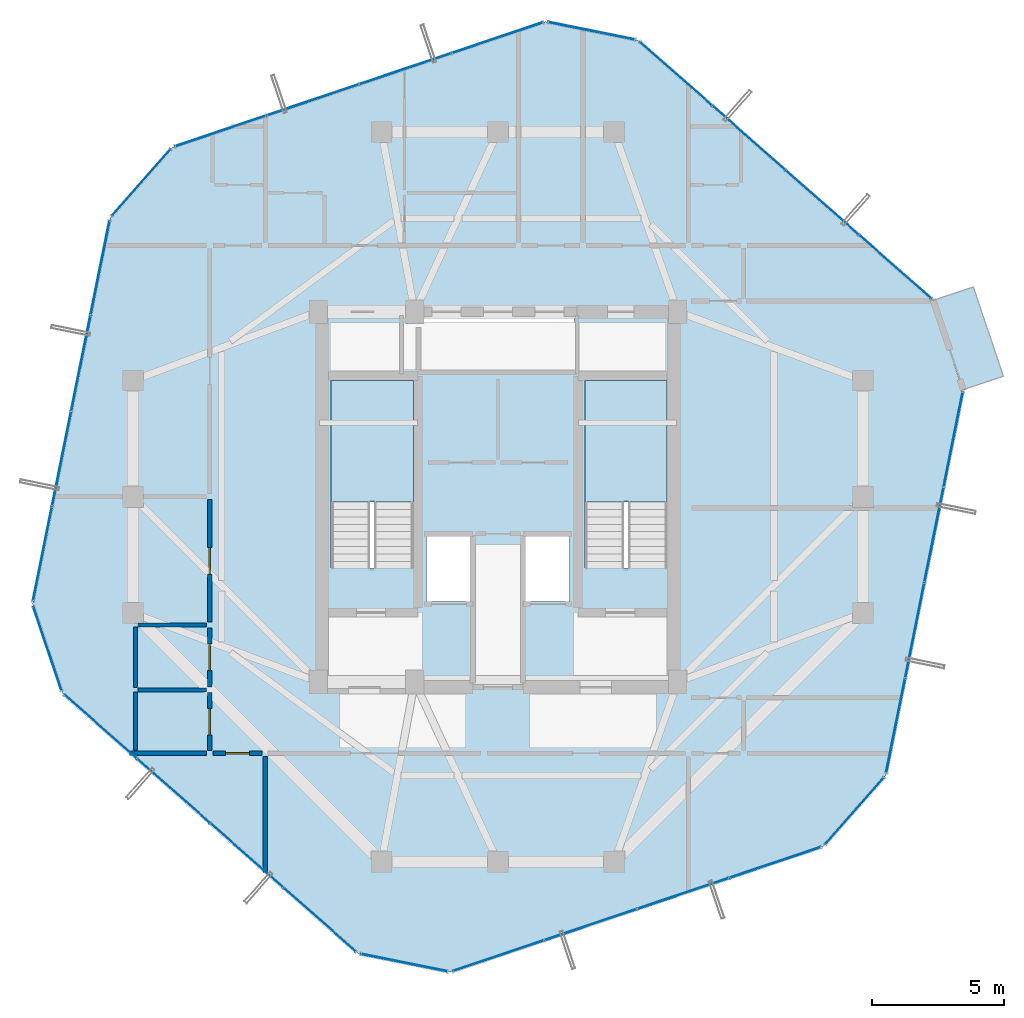
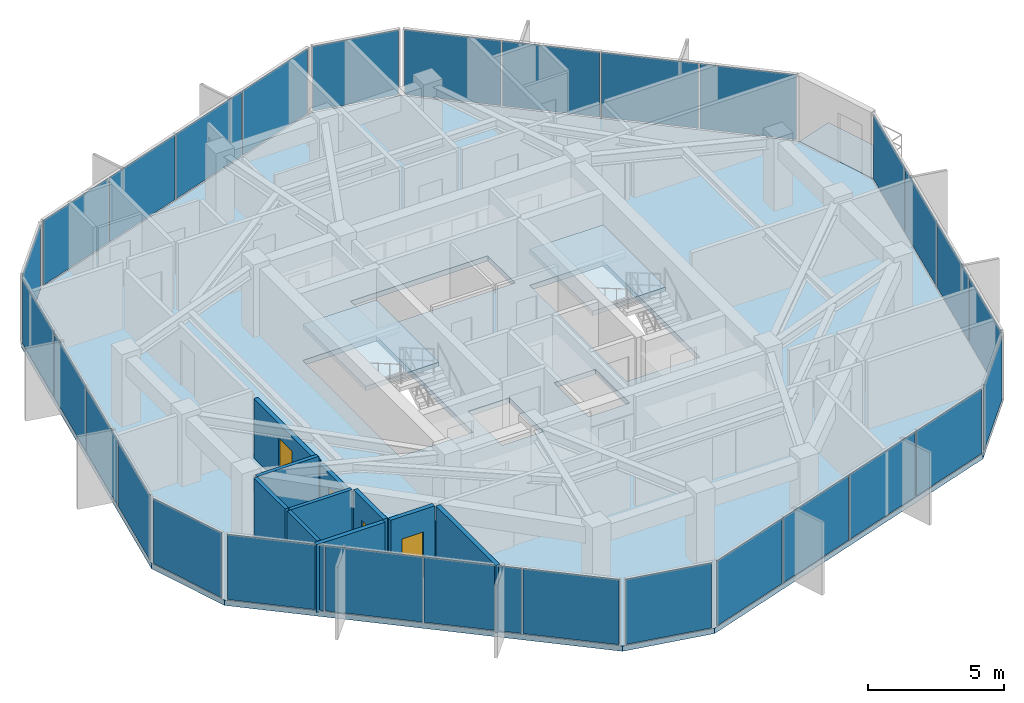
# One storey, part 23 of 28: 29 plates, 10 walls, 4 doors, 4 slabs, 4 openings, 13 elements without a shape of their own.
"""IFC4 building model written with IfcOpenShell, lengths in metres."""

from ifc_helpers import new_model, si_unit, direction, frame, frame_2d, origin, origin_2d, place, context, subcontext, project, spatial, polyline, rectangle, outline, extrude, source, transform, mapped, material, layer, layer_set, type_object, element, fill, aggregate, save


model = new_model("IFC4")

# Units and contexts
model_context = context("Model", 3, precision=1e-05, world=origin(), true_north=direction((0.0, 1.0)))
body_context = subcontext(model_context, "Body", "Model", "MODEL_VIEW")
ifc_project = project(units=[si_unit("LENGTHUNIT", "METRE"), si_unit("AREAUNIT", "SQUARE_METRE"), si_unit("VOLUMEUNIT", "CUBIC_METRE"), si_unit("PLANEANGLEUNIT", "RADIAN"), si_unit("MASSUNIT", "GRAM", prefix="KILO")], contexts=[model_context])

# Site, building, storey
site_placement = place(None, origin())
site = spatial("IfcSite", under=ifc_project, at=site_placement, CompositionType="ELEMENT")
building_placement = place(site_placement, origin())
building = spatial("IfcBuilding", under=site, at=building_placement, Name="Veraguas Prism Commons", CompositionType="ELEMENT")
storey_placement = place(building_placement, frame((0.0, 0.0, 248.0)))
storey = spatial("IfcBuildingStorey", under=building, at=storey_placement, Name="L70", CompositionType="ELEMENT", Elevation=248.0)

# Stair, slab
ifc_material_1 = material(Name="Precast concrete C45/55", Category="concrete")
stair_type = type_object("IfcStairType", Name="Dogleg Core Stair 1480W 20R 05", PredefinedType="HALF_TURN_STAIR", material=ifc_material_1)
stair_1_placement = place(storey_placement, origin())
stair_1 = element("IfcStair", 1, at=stair_1_placement, inside=storey, type_object=stair_type, Name="Protected Exit Stair ST-01 L70", PredefinedType="HALF_TURN_STAIR")
ifc_layer_1 = layer(ifc_material_1, 0.199951171875, Name="Precast Stair and Ramp Landing Slab 200", Category="concrete")
ifc_layer_set_1 = layer_set([ifc_layer_1], Name="Precast concrete C45/55")
slab_type_1 = type_object("IfcSlabType", Name="Precast Stair and Ramp Landing Slab 200", PredefinedType="LANDING", material=ifc_layer_set_1)
slab_1_placement = place(storey_placement, frame((0.0, 0.0, 1.425048828125)))
slab_1 = element("IfcSlab", 2, at=slab_1_placement, type_object=slab_type_1, Name="ST-05 Landing 1", PredefinedType="LANDING", context=body_context, shape_type="SweptSolid", body=[
    extrude(outline(polyline([(20.800048828125, 23.800048828125), (20.800048828125, 28.39990234375), (17.68994140625, 28.39990234375), (17.68994140625, 23.800048828125), (20.800048828125, 23.800048828125)])), origin(), (0.0, 0.0, 1.0), 0.199951171875),
])
aggregate(stair_1, [slab_1])

stair_2_placement = place(storey_placement, origin())
stair_2 = element("IfcStair", 3, at=stair_2_placement, inside=storey, type_object=stair_type, Name="Protected Exit Stair ST-02 L70", PredefinedType="HALF_TURN_STAIR")
slab_2_placement = place(storey_placement, frame((0.0, 0.0, 1.425048828125)))
slab_2 = element("IfcSlab", 4, at=slab_2_placement, type_object=slab_type_1, Name="ST-05 Landing 1", PredefinedType="LANDING", context=body_context, shape_type="SweptSolid", body=[
    extrude(outline(polyline([(30.39990234375, 23.800048828125), (30.39990234375, 28.39990234375), (27.2900390625, 28.39990234375), (27.2900390625, 23.800048828125), (30.39990234375, 23.800048828125)])), origin(), (0.0, 0.0, 1.0), 0.199951171875),
])
aggregate(stair_2, [slab_2])

# Slabs
ifc_material_2 = material(Name="Concrete C45/55", Category="concrete")
ifc_layer_2 = layer(ifc_material_2, 0.219970703125, Name="Recessed Loggia and Terrace Slab RC 220", Category="concrete")
ifc_layer_set_2 = layer_set([ifc_layer_2], Name="Concrete C45/55")
slab_type_2 = type_object("IfcSlabType", Name="Recessed Loggia and Terrace Slab RC 220", PredefinedType="FLOOR", material=ifc_layer_set_2)
slab_3_placement = place(storey_placement, frame((0.0, 0.0, -0.219970703125)))
element("IfcSlab", 5, at=slab_3_placement, inside=storey, type_object=slab_type_2, Name="Recessed Corner Loggia L70-C1", PredefinedType="FLOOR", context=body_context, shape_type="SweptSolid", body=[
    extrude(outline(polyline([(41.58056640625, 28.043701171875), (43.115966796875, 28.560791015625), (41.978515625, 31.93701171875), (40.443115234375, 31.419921875), (41.58056640625, 28.043701171875)])), origin(), (0.0, 0.0, 1.0), 0.219970703125),
])
ifc_layer_3 = layer(ifc_material_2, 0.235107421875, Name="Tower Upper Residential Floor Slab RC 235", Category="concrete")
ifc_layer_set_3 = layer_set([ifc_layer_3], Name="Concrete C45/55")
slab_type_3 = type_object("IfcSlabType", Name="Tower Upper Residential Floor Slab RC 235", PredefinedType="FLOOR", material=ifc_layer_set_3)
slab_4_placement = place(storey_placement, frame((0.0, 0.0, -0.235107421875)))
element("IfcSlab", 6, at=slab_4_placement, inside=storey, type_object=slab_type_3, Name="Tower Floor Slab L70", PredefinedType="FLOOR", context=body_context, shape_type="SweptSolid", body=[
    extrude(outline(polyline([(41.599609375, 28.050048828125), (40.462158203125, 31.42626953125), (29.292236328125, 41.266845703125), (25.7998046875, 41.9697265625), (11.692626953125, 37.216796875), (9.337646484375, 34.543701171875), (6.400390625, 19.949951171875), (7.537841796875, 16.57373046875), (18.707763671875, 6.733154296875), (22.2001953125, 6.0302734375), (36.307373046875, 10.783203125), (38.662353515625, 13.456298828125), (41.599609375, 28.050048828125)]), holes=[polyline([(20.800048828125, 21.31005859375), (20.800048828125, 28.39990234375), (17.68994140625, 28.39990234375), (17.68994140625, 21.31005859375), (20.800048828125, 21.31005859375)]), polyline([(30.39990234375, 21.31005859375), (30.39990234375, 28.39990234375), (27.2900390625, 28.39990234375), (27.2900390625, 21.31005859375), (30.39990234375, 21.31005859375)]), polyline([(21.10009765625, 28.800048828125), (26.89990234375, 28.800048828125), (26.89990234375, 30.800048828125), (21.10009765625, 30.800048828125), (21.10009765625, 28.800048828125)]), polyline([(21.300048828125, 20.050048828125), (23.050048828125, 20.050048828125), (23.050048828125, 22.550048828125), (21.300048828125, 22.550048828125), (21.300048828125, 20.050048828125)]), polyline([(24.949951171875, 20.050048828125), (26.699951171875, 20.050048828125), (26.699951171875, 22.550048828125), (24.949951171875, 22.550048828125), (24.949951171875, 20.050048828125)])]), origin(), (0.0, 0.0, 1.0), 0.235107421875),
])

# Curtain wall, plates
ifc_material_3 = material(Name="Anodised aluminium EN AW-6063 T6", Category="aluminium")
ifc_layer_4 = layer(ifc_material_3, 0.14990234375, Name="Unitised Flush Curtain Wall Zone 4", Category="aluminium")
ifc_layer_set_4 = layer_set([ifc_layer_4], Name="Anodised aluminium EN AW-6063 T6")
curtain_wall_type = type_object("IfcCurtainWallType", Name="Unitised Flush Curtain Wall Zone 4", PredefinedType="NOTDEFINED", material=ifc_layer_set_4)
curtain_wall_1_placement = place(storey_placement, origin())
curtain_wall_1 = element("IfcCurtainWall", 7, at=curtain_wall_1_placement, inside=storey, type_object=curtain_wall_type, Name="Tower Facade Curtain Wall L70-F1", PredefinedType="NOTDEFINED")
ifc_material_4 = material(Name="Laminated low-e glass", Category="glass")
ifc_layer_5 = layer(ifc_material_4, 0.028076171875, Name="Unitised Double Low-E Glazed Panel 28", Category="glass")
ifc_layer_set_5 = layer_set([ifc_layer_5], Name="Laminated low-e glass")
plate_type = type_object("IfcPlateType", Name="Unitised Double Low-E Glazed Panel 28", PredefinedType="CURTAIN_PANEL", material=ifc_layer_set_5)
shared_shape_1 = source(origin(), body_context, "Body", "SweptSolid", [
    extrude(rectangle(XDim=3.6015625, YDim=0.028076171875, at=origin_2d()), origin(), (0.0, 0.0, 1.0), 2.905029296875),
])
plate_1_placement = place(storey_placement, frame((39.02099609375, 32.696044921875, 0.05517578125), z_axis=(0.0, 0.0, 1.0), x_axis=(-0.750347634036, 0.661043438888, 0.0)))
plate_1 = element("IfcPlate", 8, at=plate_1_placement, type_object=plate_type, Name="CW-Z4 Panel 1.1", PredefinedType="CURTAIN_PANEL", context=body_context, shape_type="MappedRepresentation", body=[
    mapped(shared_shape_1, transform((0.0, 0.0, 0.0), scale=1.0)),
])
plate_2_placement = place(storey_placement, frame((30.733642578125, 39.9970703125, 0.05517578125), z_axis=(0.0, 0.0, 1.0), x_axis=(-0.750347634036, 0.661043438888, 0.0)))
plate_2 = element("IfcPlate", 9, at=plate_2_placement, type_object=plate_type, Name="CW-Z4 Panel 4.1", PredefinedType="CURTAIN_PANEL", context=body_context, shape_type="MappedRepresentation", body=[
    mapped(shared_shape_1, transform((0.0, 0.0, 0.0), scale=1.0)),
])

curtain_wall_2_placement = place(storey_placement, origin())
curtain_wall_2 = element("IfcCurtainWall", 10, at=curtain_wall_2_placement, inside=storey, type_object=curtain_wall_type, Name="Tower Facade Curtain Wall L70-F2", PredefinedType="NOTDEFINED")
plate_3_placement = place(storey_placement, frame((23.9794921875, 41.3564453125, 0.05517578125), z_axis=(0.0, 0.0, 1.0), x_axis=(-0.94765924351, -0.319283507543, 0.0)))
plate_3 = element("IfcPlate", 11, at=plate_3_placement, type_object=plate_type, Name="CW-Z4 Panel 1.1", PredefinedType="CURTAIN_PANEL", context=body_context, shape_type="MappedRepresentation", body=[
    mapped(shared_shape_1, transform((0.0, 0.0, 0.0), scale=1.0)),
])
plate_4_placement = place(storey_placement, frame((13.512939453125, 37.830078125, 0.05517578125), z_axis=(0.0, 0.0, 1.0), x_axis=(-0.94765924351, -0.319283507543, 0.0)))
plate_4 = element("IfcPlate", 12, at=plate_4_placement, type_object=plate_type, Name="CW-Z4 Panel 4.1", PredefinedType="CURTAIN_PANEL", context=body_context, shape_type="MappedRepresentation", body=[
    mapped(shared_shape_1, transform((0.0, 0.0, 0.0), scale=1.0)),
])

curtain_wall_3_placement = place(storey_placement, origin())
curtain_wall_3 = element("IfcCurtainWall", 13, at=curtain_wall_3_placement, inside=storey, type_object=curtain_wall_type, Name="Tower Facade Curtain Wall L70-F3", PredefinedType="NOTDEFINED")
plate_5_placement = place(storey_placement, frame((8.958740234375, 32.66064453125, 0.05517578125), z_axis=(0.0, 0.0, 1.0), x_axis=(-0.197318571184, -0.980339421561, 0.0)))
plate_5 = element("IfcPlate", 14, at=plate_5_placement, type_object=plate_type, Name="CW-Z4 Panel 1.1", PredefinedType="CURTAIN_PANEL", context=body_context, shape_type="MappedRepresentation", body=[
    mapped(shared_shape_1, transform((0.0, 0.0, 0.0), scale=1.0)),
])
plate_6_placement = place(storey_placement, frame((6.779296875, 21.8330078125, 0.05517578125), z_axis=(0.0, 0.0, 1.0), x_axis=(-0.197318571184, -0.980339421561, 0.0)))
plate_6 = element("IfcPlate", 15, at=plate_6_placement, type_object=plate_type, Name="CW-Z4 Panel 4.1", PredefinedType="CURTAIN_PANEL", context=body_context, shape_type="MappedRepresentation", body=[
    mapped(shared_shape_1, transform((0.0, 0.0, 0.0), scale=1.0)),
])

curtain_wall_4_placement = place(storey_placement, origin())
curtain_wall_4 = element("IfcCurtainWall", 16, at=curtain_wall_4_placement, inside=storey, type_object=curtain_wall_type, Name="Tower Facade Curtain Wall L70-F4", PredefinedType="NOTDEFINED")
plate_7_placement = place(storey_placement, frame((8.97900390625, 15.303955078125, 0.05517578125), z_axis=(0.0, 0.0, 1.0), x_axis=(0.750347634036, -0.661043438888, 0.0)))
plate_7 = element("IfcPlate", 17, at=plate_7_placement, type_object=plate_type, Name="CW-Z4 Panel 1.1", PredefinedType="CURTAIN_PANEL", context=body_context, shape_type="MappedRepresentation", body=[
    mapped(shared_shape_1, transform((0.0, 0.0, 0.0), scale=1.0)),
])
plate_8_placement = place(storey_placement, frame((17.266357421875, 8.0029296875, 0.05517578125), z_axis=(0.0, 0.0, 1.0), x_axis=(0.750347634036, -0.661043438888, 0.0)))
plate_8 = element("IfcPlate", 18, at=plate_8_placement, type_object=plate_type, Name="CW-Z4 Panel 4.1", PredefinedType="CURTAIN_PANEL", context=body_context, shape_type="MappedRepresentation", body=[
    mapped(shared_shape_1, transform((0.0, 0.0, 0.0), scale=1.0)),
])

curtain_wall_5_placement = place(storey_placement, origin())
curtain_wall_5 = element("IfcCurtainWall", 19, at=curtain_wall_5_placement, inside=storey, type_object=curtain_wall_type, Name="Tower Facade Curtain Wall L70-F5", PredefinedType="NOTDEFINED")
plate_9_placement = place(storey_placement, frame((24.0205078125, 6.6435546875, 0.05517578125), z_axis=(0.0, 0.0, 1.0), x_axis=(0.94765924351, 0.319283507543, 0.0)))
plate_9 = element("IfcPlate", 20, at=plate_9_placement, type_object=plate_type, Name="CW-Z4 Panel 1.1", PredefinedType="CURTAIN_PANEL", context=body_context, shape_type="MappedRepresentation", body=[
    mapped(shared_shape_1, transform((0.0, 0.0, 0.0), scale=1.0)),
])
plate_10_placement = place(storey_placement, frame((34.487060546875, 10.169921875, 0.05517578125), z_axis=(0.0, 0.0, 1.0), x_axis=(0.94765924351, 0.319283507543, 0.0)))
plate_10 = element("IfcPlate", 21, at=plate_10_placement, type_object=plate_type, Name="CW-Z4 Panel 4.1", PredefinedType="CURTAIN_PANEL", context=body_context, shape_type="MappedRepresentation", body=[
    mapped(shared_shape_1, transform((0.0, 0.0, 0.0), scale=1.0)),
])

curtain_wall_6_placement = place(storey_placement, origin())
curtain_wall_6 = element("IfcCurtainWall", 22, at=curtain_wall_6_placement, inside=storey, type_object=curtain_wall_type, Name="Tower Facade Curtain Wall L70-F6", PredefinedType="NOTDEFINED")
plate_11_placement = place(storey_placement, frame((39.041259765625, 15.33935546875, 0.05517578125), z_axis=(0.0, 0.0, 1.0), x_axis=(0.197318571184, 0.980339421561, 0.0)))
plate_11 = element("IfcPlate", 23, at=plate_11_placement, type_object=plate_type, Name="CW-Z4 Panel 1.1", PredefinedType="CURTAIN_PANEL", context=body_context, shape_type="MappedRepresentation", body=[
    mapped(shared_shape_1, transform((0.0, 0.0, 0.0), scale=1.0)),
])
plate_12_placement = place(storey_placement, frame((41.220703125, 26.1669921875, 0.05517578125), z_axis=(0.0, 0.0, 1.0), x_axis=(0.197318571184, 0.980339421561, 0.0)))
plate_12 = element("IfcPlate", 24, at=plate_12_placement, type_object=plate_type, Name="CW-Z4 Panel 4.1", PredefinedType="CURTAIN_PANEL", context=body_context, shape_type="MappedRepresentation", body=[
    mapped(shared_shape_1, transform((0.0, 0.0, 0.0), scale=1.0)),
])

# Plate
shared_shape_2 = source(origin(), body_context, "Body", "SweptSolid", [
    extrude(rectangle(XDim=3.631591796875, YDim=0.028076171875, at=origin_2d()), origin(), (0.0, 0.0, 1.0), 2.905029296875),
])
plate_13_placement = place(storey_placement, frame((36.26220703125, 35.12646484375, 0.05517578125), z_axis=(0.0, 0.0, 1.0), x_axis=(-0.750347634036, 0.661043438888, 0.0)))
plate_13 = element("IfcPlate", 25, at=plate_13_placement, type_object=plate_type, Name="CW-Z4 Panel 2.1", PredefinedType="CURTAIN_PANEL", context=body_context, shape_type="MappedRepresentation", body=[
    mapped(shared_shape_2, transform((0.0, 0.0, 0.0), scale=1.0)),
])

plate_14_placement = place(storey_placement, frame((33.4921875, 37.566650390625, 0.05517578125), z_axis=(0.0, 0.0, 1.0), x_axis=(-0.750347634036, 0.661043438888, 0.0)))
plate_14 = element("IfcPlate", 26, at=plate_14_placement, type_object=plate_type, Name="CW-Z4 Panel 3.1", PredefinedType="CURTAIN_PANEL", context=body_context, shape_type="MappedRepresentation", body=[
    mapped(shared_shape_2, transform((0.0, 0.0, 0.0), scale=1.0)),
])

aggregate(curtain_wall_1, [plate_1, plate_13, plate_14, plate_2])

plate_15_placement = place(storey_placement, frame((20.495361328125, 40.1826171875, 0.05517578125), z_axis=(0.0, 0.0, 1.0), x_axis=(-0.94765924351, -0.319283507543, 0.0)))
plate_15 = element("IfcPlate", 27, at=plate_15_placement, type_object=plate_type, Name="CW-Z4 Panel 2.1", PredefinedType="CURTAIN_PANEL", context=body_context, shape_type="MappedRepresentation", body=[
    mapped(shared_shape_2, transform((0.0, 0.0, 0.0), scale=1.0)),
])

plate_16_placement = place(storey_placement, frame((16.9970703125, 39.00390625, 0.05517578125), z_axis=(0.0, 0.0, 1.0), x_axis=(-0.94765924351, -0.319283507543, 0.0)))
plate_16 = element("IfcPlate", 28, at=plate_16_placement, type_object=plate_type, Name="CW-Z4 Panel 3.1", PredefinedType="CURTAIN_PANEL", context=body_context, shape_type="MappedRepresentation", body=[
    mapped(shared_shape_2, transform((0.0, 0.0, 0.0), scale=1.0)),
])

aggregate(curtain_wall_2, [plate_3, plate_15, plate_16, plate_4])

plate_17_placement = place(storey_placement, frame((8.233154296875, 29.05615234375, 0.05517578125), z_axis=(0.0, 0.0, 1.0), x_axis=(-0.197318571184, -0.980339421561, 0.0)))
plate_17 = element("IfcPlate", 29, at=plate_17_placement, type_object=plate_type, Name="CW-Z4 Panel 2.1", PredefinedType="CURTAIN_PANEL", context=body_context, shape_type="MappedRepresentation", body=[
    mapped(shared_shape_2, transform((0.0, 0.0, 0.0), scale=1.0)),
])

plate_18_placement = place(storey_placement, frame((7.5048828125, 25.437255859375, 0.05517578125), z_axis=(0.0, 0.0, 1.0), x_axis=(-0.197318571184, -0.980339421561, 0.0)))
plate_18 = element("IfcPlate", 30, at=plate_18_placement, type_object=plate_type, Name="CW-Z4 Panel 3.1", PredefinedType="CURTAIN_PANEL", context=body_context, shape_type="MappedRepresentation", body=[
    mapped(shared_shape_2, transform((0.0, 0.0, 0.0), scale=1.0)),
])

aggregate(curtain_wall_3, [plate_5, plate_17, plate_18, plate_6])

plate_19_placement = place(storey_placement, frame((11.73779296875, 12.87353515625, 0.05517578125), z_axis=(0.0, 0.0, 1.0), x_axis=(0.750347634036, -0.661043438888, 0.0)))
plate_19 = element("IfcPlate", 31, at=plate_19_placement, type_object=plate_type, Name="CW-Z4 Panel 2.1", PredefinedType="CURTAIN_PANEL", context=body_context, shape_type="MappedRepresentation", body=[
    mapped(shared_shape_2, transform((0.0, 0.0, 0.0), scale=1.0)),
])

plate_20_placement = place(storey_placement, frame((14.5078125, 10.433349609375, 0.05517578125), z_axis=(0.0, 0.0, 1.0), x_axis=(0.750347634036, -0.661043438888, 0.0)))
plate_20 = element("IfcPlate", 32, at=plate_20_placement, type_object=plate_type, Name="CW-Z4 Panel 3.1", PredefinedType="CURTAIN_PANEL", context=body_context, shape_type="MappedRepresentation", body=[
    mapped(shared_shape_2, transform((0.0, 0.0, 0.0), scale=1.0)),
])

aggregate(curtain_wall_4, [plate_7, plate_19, plate_20, plate_8])

plate_21_placement = place(storey_placement, frame((27.504638671875, 7.8173828125, 0.05517578125), z_axis=(0.0, 0.0, 1.0), x_axis=(0.94765924351, 0.319283507543, 0.0)))
plate_21 = element("IfcPlate", 33, at=plate_21_placement, type_object=plate_type, Name="CW-Z4 Panel 2.1", PredefinedType="CURTAIN_PANEL", context=body_context, shape_type="MappedRepresentation", body=[
    mapped(shared_shape_2, transform((0.0, 0.0, 0.0), scale=1.0)),
])

plate_22_placement = place(storey_placement, frame((31.0029296875, 8.99609375, 0.05517578125), z_axis=(0.0, 0.0, 1.0), x_axis=(0.94765924351, 0.319283507543, 0.0)))
plate_22 = element("IfcPlate", 34, at=plate_22_placement, type_object=plate_type, Name="CW-Z4 Panel 3.1", PredefinedType="CURTAIN_PANEL", context=body_context, shape_type="MappedRepresentation", body=[
    mapped(shared_shape_2, transform((0.0, 0.0, 0.0), scale=1.0)),
])

aggregate(curtain_wall_5, [plate_9, plate_21, plate_22, plate_10])

plate_23_placement = place(storey_placement, frame((39.766845703125, 18.94384765625, 0.05517578125), z_axis=(0.0, 0.0, 1.0), x_axis=(0.197318571184, 0.980339421561, 0.0)))
plate_23 = element("IfcPlate", 35, at=plate_23_placement, type_object=plate_type, Name="CW-Z4 Panel 2.1", PredefinedType="CURTAIN_PANEL", context=body_context, shape_type="MappedRepresentation", body=[
    mapped(shared_shape_2, transform((0.0, 0.0, 0.0), scale=1.0)),
])

plate_24_placement = place(storey_placement, frame((40.4951171875, 22.562744140625, 0.05517578125), z_axis=(0.0, 0.0, 1.0), x_axis=(0.197318571184, 0.980339421561, 0.0)))
plate_24 = element("IfcPlate", 36, at=plate_24_placement, type_object=plate_type, Name="CW-Z4 Panel 3.1", PredefinedType="CURTAIN_PANEL", context=body_context, shape_type="MappedRepresentation", body=[
    mapped(shared_shape_2, transform((0.0, 0.0, 0.0), scale=1.0)),
])

aggregate(curtain_wall_6, [plate_11, plate_23, plate_24, plate_12])

# Curtain wall, plate
curtain_wall_7_placement = place(storey_placement, origin())
curtain_wall_7 = element("IfcCurtainWall", 37, at=curtain_wall_7_placement, inside=storey, type_object=curtain_wall_type, Name="Chamfer Curtain Wall L70-C2", PredefinedType="NOTDEFINED")
shared_shape_3 = source(origin(), body_context, "Body", "SweptSolid", [
    extrude(rectangle(XDim=3.322509765625, YDim=0.028076171875, at=origin_2d()), origin(), (0.0, 0.0, 1.0), 2.905029296875),
])
plate_25_placement = place(storey_placement, frame((27.546142578125, 41.6181640625, 0.05517578125), z_axis=(0.0, 0.0, 1.0), x_axis=(-0.980338732783, 0.197321993213, 0.0)))
plate_25 = element("IfcPlate", 38, at=plate_25_placement, type_object=plate_type, Name="CW-Z4 Panel 1.1", PredefinedType="CURTAIN_PANEL", context=body_context, shape_type="MappedRepresentation", body=[
    mapped(shared_shape_3, transform((0.0, 0.0, 0.0), scale=1.0)),
])
aggregate(curtain_wall_7, [plate_25])

curtain_wall_8_placement = place(storey_placement, origin())
curtain_wall_8 = element("IfcCurtainWall", 39, at=curtain_wall_8_placement, inside=storey, type_object=curtain_wall_type, Name="Chamfer Curtain Wall L70-C3", PredefinedType="NOTDEFINED")
plate_26_placement = place(storey_placement, frame((10.51513671875, 35.880126953125, 0.05517578125), z_axis=(0.0, 0.0, 1.0), x_axis=(-0.661032961994, -0.75035686387, 0.0)))
plate_26 = element("IfcPlate", 40, at=plate_26_placement, type_object=plate_type, Name="CW-Z4 Panel 1.1", PredefinedType="CURTAIN_PANEL", context=body_context, shape_type="MappedRepresentation", body=[
    mapped(shared_shape_3, transform((0.0, 0.0, 0.0), scale=1.0)),
])
aggregate(curtain_wall_8, [plate_26])

curtain_wall_9_placement = place(storey_placement, origin())
curtain_wall_9 = element("IfcCurtainWall", 41, at=curtain_wall_9_placement, inside=storey, type_object=curtain_wall_type, Name="Chamfer Curtain Wall L70-C4", PredefinedType="NOTDEFINED")
plate_27_placement = place(storey_placement, frame((6.968994140625, 18.261962890625, 0.05517578125), z_axis=(0.0, 0.0, 1.0), x_axis=(0.319250427801, -0.94767038803, 0.0)))
plate_27 = element("IfcPlate", 42, at=plate_27_placement, type_object=plate_type, Name="CW-Z4 Panel 1.1", PredefinedType="CURTAIN_PANEL", context=body_context, shape_type="MappedRepresentation", body=[
    mapped(shared_shape_3, transform((0.0, 0.0, 0.0), scale=1.0)),
])
aggregate(curtain_wall_9, [plate_27])

curtain_wall_10_placement = place(storey_placement, origin())
curtain_wall_10 = element("IfcCurtainWall", 43, at=curtain_wall_10_placement, inside=storey, type_object=curtain_wall_type, Name="Chamfer Curtain Wall L70-C5", PredefinedType="NOTDEFINED")
plate_28_placement = place(storey_placement, frame((20.453857421875, 6.3818359375, 0.05517578125), z_axis=(0.0, 0.0, 1.0), x_axis=(0.980338732783, -0.197321993213, 0.0)))
plate_28 = element("IfcPlate", 44, at=plate_28_placement, type_object=plate_type, Name="CW-Z4 Panel 1.1", PredefinedType="CURTAIN_PANEL", context=body_context, shape_type="MappedRepresentation", body=[
    mapped(shared_shape_3, transform((0.0, 0.0, 0.0), scale=1.0)),
])
aggregate(curtain_wall_10, [plate_28])

curtain_wall_11_placement = place(storey_placement, origin())
curtain_wall_11 = element("IfcCurtainWall", 45, at=curtain_wall_11_placement, inside=storey, type_object=curtain_wall_type, Name="Chamfer Curtain Wall L70-C6", PredefinedType="NOTDEFINED")
plate_29_placement = place(storey_placement, frame((37.48486328125, 12.119873046875, 0.05517578125), z_axis=(0.0, 0.0, 1.0), x_axis=(0.661032961994, 0.75035686387, 0.0)))
plate_29 = element("IfcPlate", 46, at=plate_29_placement, type_object=plate_type, Name="CW-Z4 Panel 1.1", PredefinedType="CURTAIN_PANEL", context=body_context, shape_type="MappedRepresentation", body=[
    mapped(shared_shape_3, transform((0.0, 0.0, 0.0), scale=1.0)),
])
aggregate(curtain_wall_11, [plate_29])

# Walls
ifc_material_5 = material(Name="Autoclaved aerated masonry block 10 MPa", Category="masonry")
ifc_layer_6 = layer(ifc_material_5, 0.179931640625, Name="Corridor and Inter-Tenancy Partition 180", Category="masonry")
ifc_layer_set_6 = layer_set([ifc_layer_6], Name="Autoclaved aerated masonry block 10 MPa")
wall_type_1 = type_object("IfcWallType", Name="Corridor and Inter-Tenancy Partition 180", PredefinedType="PARTITIONING", material=ifc_layer_set_6)
wall_1_placement = place(storey_placement, frame((15.199951171875, 14.179931640625, 0.0), z_axis=(0.0, 0.0, 1.0), x_axis=(0.0, -1.0, 0.0)))
element("IfcWall", 47, at=wall_1_placement, inside=storey, type_object=wall_type_1, Name="WL-L70-PT001", PredefinedType="PARTITIONING", context=body_context, shape_type="SweptSolid", body=[
    extrude(rectangle(XDim=4.396484375, YDim=0.179931640625, at=frame_2d((2.1982421875, 0.0))), origin(), (0.0, 0.0, 1.0), 3.014892578125),
])
wall_2_placement = place(storey_placement, frame((12.97998046875, 14.300048828125, 0.0), z_axis=(0.0, 0.0, 1.0), x_axis=(-1.0, 0.0, 0.0)))
element("IfcWall", 48, at=wall_2_placement, inside=storey, type_object=wall_type_1, Name="WL-L70-PT017", PredefinedType="PARTITIONING", context=body_context, shape_type="SweptSolid", body=[
    extrude(rectangle(XDim=2.906494140625, YDim=0.179931640625, at=frame_2d((1.453125, 0.0))), origin(), (0.0, 0.0, 1.0), 3.014892578125),
])

# Wall, opening, door
wall_3_placement = place(storey_placement, frame((13.10009765625, 14.409912109375, 0.0), z_axis=(0.0, 0.0, 1.0), x_axis=(0.0, 1.0, 0.0)))
wall_3 = element("IfcWall", 49, at=wall_3_placement, inside=storey, type_object=wall_type_1, Name="WL-L70-PT019", PredefinedType="PARTITIONING", context=body_context, shape_type="SweptSolid", body=[
    extrude(rectangle(XDim=2.18017578125, YDim=0.179931640625, at=frame_2d((1.090087890625, 0.0))), origin(), (0.0, 0.0, 1.0), 3.014892578125),
])
opening_1_placement = place(wall_3_placement, frame((0.590087890625, 0.0, 0.0)))
opening_1 = element("IfcOpeningElement", 50, at=opening_1_placement, cuts=wall_3, Name="Opening DR-13", PredefinedType="OPENING", context=body_context, shape_type="SweptSolid", body=[
    extrude(rectangle(XDim=1.0, YDim=2.010009765625, at=frame_2d((0.5, 1.0048828125))), frame((0.0, 0.099853515625, 0.0), z_axis=(0.0, -1.0, 0.0), x_axis=(1.0, 0.0, 0.0)), (0.0, 0.0, 1.0), 0.199951171875),
])
ifc_material_6 = material(Name="Steel fire-rated door assembly", Category="steel")
door_type_1 = type_object("IfcDoorType", Name="Core Accessible WC and Clinic Fire Door 1000x2010", OperationType="NOTDEFINED", PredefinedType="DOOR", material=ifc_material_6)
shared_shape_4 = source(origin(), body_context, "Body", "SweptSolid", [
    extrude(rectangle(XDim=1.0, YDim=2.010009765625, at=frame_2d((0.5, 1.0048828125))), frame((0.0, 0.02490234375, 0.0), z_axis=(0.0, -1.0, 0.0), x_axis=(1.0, 0.0, 0.0)), (0.0, 0.0, 1.0), 0.050048828125),
])
door_1_placement = place(opening_1_placement, origin())
door_1 = element("IfcDoor", 51, at=door_1_placement, inside=storey, type_object=door_type_1, Name="Public WC L70 Door", OperationType="SINGLE_SWING_LEFT", OverallHeight=2.010009765625, OverallWidth=1.0, PredefinedType="DOOR", context=body_context, shape_type="MappedRepresentation", body=[
    mapped(shared_shape_4, transform((0.0, 0.0, 0.0), scale=1.0)),
])
fill(opening_1, door_1)

wall_4_placement = place(storey_placement, frame((13.10009765625, 16.81005859375, 0.0), z_axis=(0.0, 0.0, 1.0), x_axis=(0.0, 1.0, 0.0)))
wall_4 = element("IfcWall", 52, at=wall_4_placement, inside=storey, type_object=wall_type_1, Name="WL-L70-PT020", PredefinedType="PARTITIONING", context=body_context, shape_type="SweptSolid", body=[
    extrude(rectangle(XDim=2.22998046875, YDim=0.179931640625, at=frame_2d((1.114990234375, 0.0))), origin(), (0.0, 0.0, 1.0), 2.662109375),
])
opening_2_placement = place(wall_4_placement, frame((0.614990234375, 0.0, 0.0)))
opening_2 = element("IfcOpeningElement", 53, at=opening_2_placement, cuts=wall_4, Name="Opening DR-13", PredefinedType="OPENING", context=body_context, shape_type="SweptSolid", body=[
    extrude(rectangle(XDim=1.0, YDim=2.010009765625, at=frame_2d((0.5, 1.0048828125))), frame((0.0, 0.099853515625, 0.0), z_axis=(0.0, -1.0, 0.0), x_axis=(1.0, 0.0, 0.0)), (0.0, 0.0, 1.0), 0.199951171875),
])
door_2_placement = place(opening_2_placement, origin())
door_2 = element("IfcDoor", 54, at=door_2_placement, inside=storey, type_object=door_type_1, Name="Accessible WC L70 Door", OperationType="SINGLE_SWING_RIGHT", OverallHeight=2.010009765625, OverallWidth=1.0, PredefinedType="DOOR", context=body_context, shape_type="MappedRepresentation", body=[
    mapped(shared_shape_4, transform((0.0, 0.0, 0.0), scale=1.0)),
])
fill(opening_2, door_2)

wall_5_placement = place(storey_placement, frame((13.10009765625, 19.260009765625, 0.0), z_axis=(0.0, 0.0, 1.0), x_axis=(0.0, 1.0, 0.0)))
wall_5 = element("IfcWall", 55, at=wall_5_placement, inside=storey, type_object=wall_type_1, Name="WL-L70-PT021", PredefinedType="PARTITIONING", context=body_context, shape_type="SweptSolid", body=[
    extrude(rectangle(XDim=4.6298828125, YDim=0.179931640625, at=frame_2d((2.31494140625, 0.0))), origin(), (0.0, 0.0, 1.0), 2.662109375),
])
opening_3_placement = place(wall_5_placement, frame((1.81494140625, 0.0, 0.0)))
opening_3 = element("IfcOpeningElement", 56, at=opening_3_placement, cuts=wall_5, Name="Opening DR-13", PredefinedType="OPENING", context=body_context, shape_type="SweptSolid", body=[
    extrude(rectangle(XDim=1.0, YDim=2.010009765625, at=frame_2d((0.5, 1.0048828125))), frame((0.0, 0.099853515625, 0.0), z_axis=(0.0, -1.0, 0.0), x_axis=(1.0, 0.0, 0.0)), (0.0, 0.0, 1.0), 0.199951171875),
])
door_3_placement = place(opening_3_placement, origin())
door_3 = element("IfcDoor", 57, at=door_3_placement, inside=storey, type_object=door_type_1, Name="Quiet Study L70 Door", OperationType="SINGLE_SWING_LEFT", OverallHeight=2.010009765625, OverallWidth=1.0, PredefinedType="DOOR", context=body_context, shape_type="MappedRepresentation", body=[
    mapped(shared_shape_4, transform((0.0, 0.0, 0.0), scale=1.0)),
])
fill(opening_3, door_3)

wall_6_placement = place(storey_placement, frame((13.219970703125, 14.300048828125, 0.0), z_axis=(0.0, 0.0, 1.0), x_axis=(1.0, 0.0, 0.0)))
wall_6 = element("IfcWall", 58, at=wall_6_placement, inside=storey, type_object=wall_type_1, Name="WL-L70-PT035", PredefinedType="PARTITIONING", context=body_context, shape_type="SweptSolid", body=[
    extrude(rectangle(XDim=1.860107421875, YDim=0.179931640625, at=frame_2d((0.93017578125, 0.0))), origin(), (0.0, 0.0, 1.0), 3.014892578125),
])
opening_4_placement = place(wall_6_placement, frame((0.47998046875, 0.0, 0.0)))
opening_4 = element("IfcOpeningElement", 59, at=opening_4_placement, cuts=wall_6, Name="Opening DR-14", PredefinedType="OPENING", context=body_context, shape_type="SweptSolid", body=[
    extrude(rectangle(XDim=0.89990234375, YDim=2.010009765625, at=frame_2d((0.449951171875, 1.0048828125))), frame((0.0, 0.099853515625, 0.0), z_axis=(0.0, -1.0, 0.0), x_axis=(1.0, 0.0, 0.0)), (0.0, 0.0, 1.0), 0.199951171875),
])
door_type_2 = type_object("IfcDoorType", Name="Core Service Room Fire Door 900x2010", OperationType="NOTDEFINED", PredefinedType="DOOR", material=ifc_material_6)
shared_shape_5 = source(origin(), body_context, "Body", "SweptSolid", [
    extrude(rectangle(XDim=0.89990234375, YDim=2.010009765625, at=frame_2d((0.449951171875, 1.0048828125))), frame((0.0, 0.02490234375, 0.0), z_axis=(0.0, -1.0, 0.0), x_axis=(1.0, 0.0, 0.0)), (0.0, 0.0, 1.0), 0.050048828125),
])
door_4_placement = place(opening_4_placement, origin())
door_4 = element("IfcDoor", 60, at=door_4_placement, inside=storey, type_object=door_type_2, Name="Residents Cycle and Pram Store SW Door", OperationType="SINGLE_SWING_LEFT", OverallHeight=2.010009765625, OverallWidth=0.89990234375, PredefinedType="DOOR", context=body_context, shape_type="MappedRepresentation", body=[
    mapped(shared_shape_5, transform((0.0, 0.0, 0.0), scale=1.0)),
])
fill(opening_4, door_4)

# Walls
ifc_material_7 = material(Name="Lightweight acoustic gypsum board")
ifc_layer_7 = layer(ifc_material_7, 0.14990234375, Name="Wet Room and Clinic Acoustic Partition 150")
ifc_layer_set_7 = layer_set([ifc_layer_7], Name="Lightweight acoustic gypsum board")
wall_type_2 = type_object("IfcWallType", Name="Wet Room and Clinic Acoustic Partition 150", PredefinedType="PARTITIONING", material=ifc_layer_set_7)
for number, where, z_axis, x_axis, name in (
    (61, (12.97998046875, 16.699951171875, 0.0), (0.0, 0.0, 1.0), (-1.0, 0.0, 0.0), "WL-L70-PT023"),
    (62, (12.97998046875, 19.14990234375, 0.0), (0.0, 0.0, 1.0), (-1.0, 0.0, 0.0), "WL-L70-PT024"),
):
    element("IfcWall", number, at=place(storey_placement, frame(where, z_axis=z_axis, x_axis=x_axis)), inside=storey, type_object=wall_type_2, Name=name, PredefinedType="PARTITIONING", context=body_context, shape_type="SweptSolid", body=[
        extrude(rectangle(XDim=2.60009765625, YDim=0.14990234375, at=frame_2d((1.300048828125, 0.0))), origin(), (0.0, 0.0, 1.0), 3.014892578125),
    ])
wall_7_placement = place(storey_placement, frame((10.300048828125, 14.419921875, 0.0), z_axis=(0.0, 0.0, 1.0), x_axis=(0.0, 1.0, 0.0)))
element("IfcWall", 63, at=wall_7_placement, inside=storey, type_object=wall_type_2, Name="WL-L70-PT025", PredefinedType="PARTITIONING", context=body_context, shape_type="SweptSolid", body=[
    extrude(rectangle(XDim=2.2001953125, YDim=0.14990234375, at=frame_2d((1.10009765625, 0.0))), origin(), (0.0, 0.0, 1.0), 3.014892578125),
])
wall_8_placement = place(storey_placement, frame((10.300048828125, 16.780029296875, 0.0), z_axis=(0.0, 0.0, 1.0), x_axis=(0.0, 1.0, 0.0)))
element("IfcWall", 64, at=wall_8_placement, inside=storey, type_object=wall_type_2, Name="WL-L70-PT026", PredefinedType="PARTITIONING", context=body_context, shape_type="SweptSolid", body=[
    extrude(rectangle(XDim=2.2900390625, YDim=0.14990234375, at=frame_2d((1.14501953125, 0.0))), origin(), (0.0, 0.0, 1.0), 3.014892578125),
])

save(model, "model.ifc")
